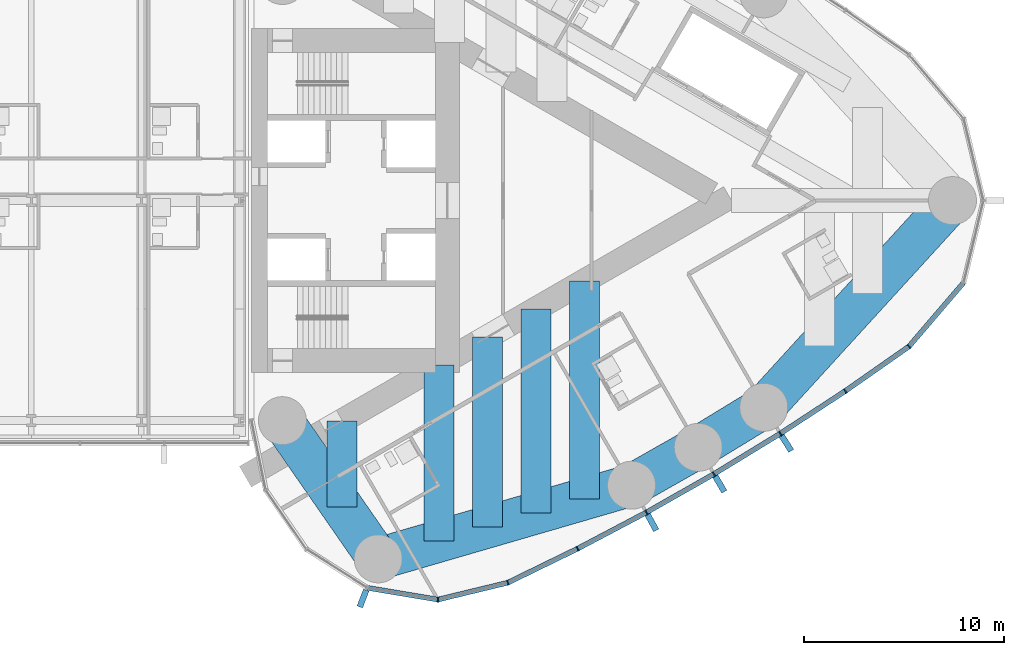
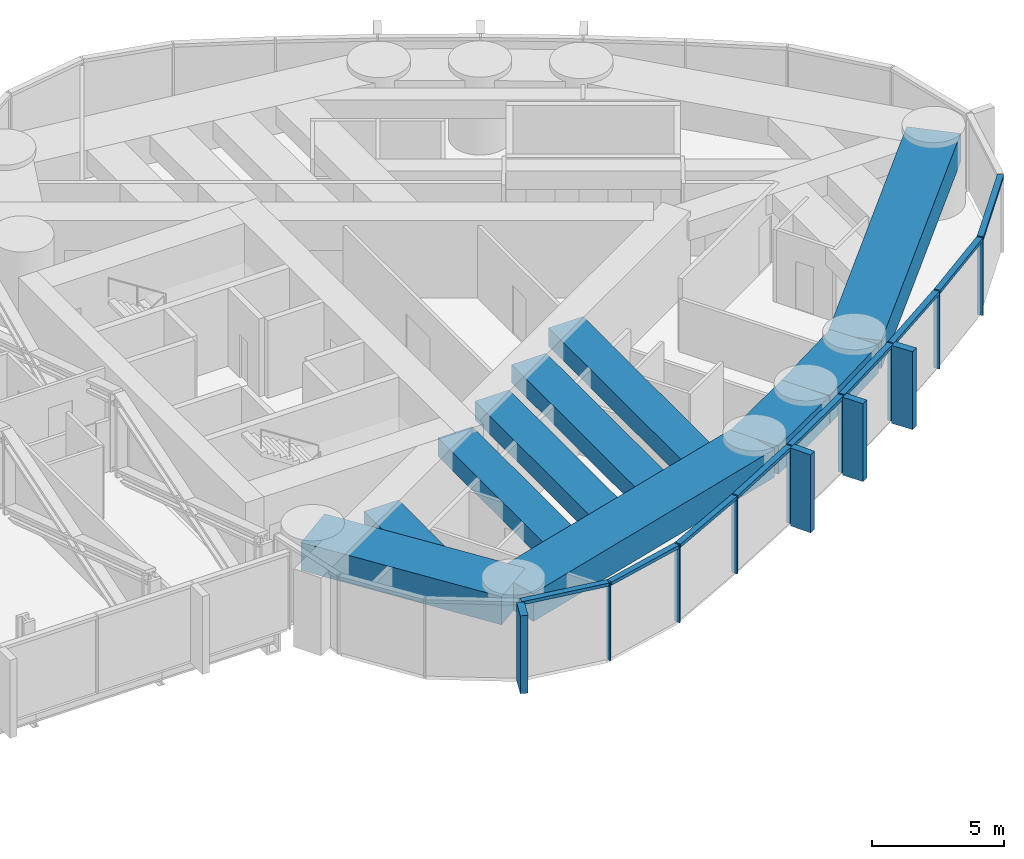
# One storey, part 8 of 22: 21 members, 10 beams, 1 element without a shape of its own.
"""IFC4 building model written with IfcOpenShell, lengths in metres."""

import ifcopenshell
import ifcopenshell.guid

model = None  # the IFC model being written
_history = None  # IfcOwnerHistory: only IFC2X3 demands one
_inside = {}  # id of a spatial element -> (the spatial element, [elements in it])
_under = {}  # id of a project, library or spatial element -> (it, [spatial elements below it])
_declared = {}  # id of a project -> (the project, [libraries it declares])
_typed = {}  # id of a type object -> (the type object, [elements of that type])
_made_of = {}  # id of a material, layer set ... -> (it, [elements and type objects made of it])


def new_model(schema):
    """Start an empty IFC model of exactly this schema.

    Asked for "IFC4X3", IfcOpenShell would pick the latest addendum, in which some entities
    have other attributes; the version numbers below select the first issue.
    IFC2X3 requires an IfcOwnerHistory on every rooted entity: one is made here for all.
    """
    global model, _history
    if schema == "IFC4X3":
        model = ifcopenshell.file(schema_version=(4, 3, 0, 0))
    else:
        model = ifcopenshell.file(schema=schema)
    _inside.clear()
    _under.clear()
    _declared.clear()
    _typed.clear()
    _made_of.clear()
    _history = None
    if model.schema == "IFC2X3":
        org = make("IfcOrganization", Name="unknown")
        user = make(
            "IfcPersonAndOrganization",
            ThePerson=make("IfcPerson", FamilyName="unknown"),
            TheOrganization=org,
        )
        app = make(
            "IfcApplication",
            ApplicationDeveloper=org,
            Version="unknown",
            ApplicationFullName="unknown",
            ApplicationIdentifier="unknown",
        )
        _history = make(
            "IfcOwnerHistory",
            OwningUser=user,
            OwningApplication=app,
            ChangeAction="ADDED",
            CreationDate=0,
        )
    return model


def make(cls, **values):
    """One entity of the class cls with the attributes given. An attribute that is None is left unset."""
    return model.create_entity(
        cls, **{name: value for name, value in values.items() if value is not None}
    )


def rooted(cls, **values):
    """An entity with a GlobalId (a new one), such as an element, a storey or a relation."""
    return make(cls, GlobalId=ifcopenshell.guid.new(), OwnerHistory=_history, **values)


def si_unit(unit_type, name, prefix=None):
    """IfcSIUnit, for example si_unit("LENGTHUNIT", "METRE", prefix="MILLI")."""
    return make("IfcSIUnit", UnitType=unit_type, Prefix=prefix, Name=name)


def assignment(units):
    """IfcUnitAssignment: the units of a project."""
    return None if units is None else make("IfcUnitAssignment", Units=units)


def point(xyz):
    """IfcCartesianPoint."""
    return None if xyz is None else make("IfcCartesianPoint", Coordinates=xyz)


def direction(xyz):
    """IfcDirection."""
    return None if xyz is None else make("IfcDirection", DirectionRatios=xyz)


def frame(location, z_axis=None, x_axis=None):
    """IfcAxis2Placement3D, a coordinate frame: its origin and axes. An axis left out is left unset."""
    return make(
        "IfcAxis2Placement3D",
        Location=point(location),
        Axis=direction(z_axis),
        RefDirection=direction(x_axis),
    )


def frame_2d(location, x_axis=None):
    """IfcAxis2Placement2D, a coordinate frame in the plane: its origin and x axis."""
    return make(
        "IfcAxis2Placement2D", Location=point(location), RefDirection=direction(x_axis)
    )


def origin():
    """The frame at (0, 0, 0) with its axes left unset."""
    return frame((0.0, 0.0, 0.0))


def origin_2d():
    """The frame at (0, 0) in the plane with its x axis left unset."""
    return frame_2d((0.0, 0.0))


def place(relative_to, where):
    """IfcLocalPlacement: puts the frame where relative to a parent placement (None: the world)."""
    return make(
        "IfcLocalPlacement", PlacementRelTo=relative_to, RelativePlacement=where
    )


def context(
    kind, dimensions, precision=None, world=None, true_north=None, identifier=None
):
    """IfcGeometricRepresentationContext, for example the 3D "Model" context."""
    return make(
        "IfcGeometricRepresentationContext",
        ContextIdentifier=identifier,
        ContextType=kind,
        CoordinateSpaceDimension=dimensions,
        Precision=precision,
        WorldCoordinateSystem=world,
        TrueNorth=true_north,
    )


def subcontext(parent, identifier, kind, view, scale=None):
    """IfcGeometricRepresentationSubContext, for example "Body" below "Model"."""
    return make(
        "IfcGeometricRepresentationSubContext",
        ContextIdentifier=identifier,
        ContextType=kind,
        ParentContext=parent,
        TargetScale=scale,
        TargetView=view,
    )


def project(units=None, contexts=None):
    """IfcProject with its units and contexts."""
    return rooted(
        "IfcProject",
        Name="project",
        RepresentationContexts=contexts,
        UnitsInContext=assignment(units),
    )


def spatial(cls, under=None, at=None, **own):
    """A site, building, storey or space (cls), placed at a placement, below another one or the project."""
    s = rooted(cls, ObjectPlacement=at, **own)
    if under is not None:
        _under.setdefault(under.id(), (under, []))[1].append(s)
    return s


def profile(cls, at=None, kind="AREA", **sizes):
    """A parametric profile (cls). Its sizes go by their IFC names, for example OverallWidth=200.0."""
    return make(cls, ProfileType=kind, Position=at, **sizes)


def rectangle(**sizes):
    """IfcRectangleProfileDef."""
    return profile("IfcRectangleProfileDef", **sizes)


def extrude(swept, where, along, depth):
    """IfcExtrudedAreaSolid: the profile swept, set in the frame where, extruded along a direction by depth."""
    return make(
        "IfcExtrudedAreaSolid",
        SweptArea=swept,
        Position=where,
        ExtrudedDirection=direction(along),
        Depth=depth,
    )


def shape(context_of_items, identifier, shape_type, items):
    """IfcShapeRepresentation: the items that make up one representation, for example the "Body"."""
    return make(
        "IfcShapeRepresentation",
        ContextOfItems=context_of_items,
        RepresentationIdentifier=identifier,
        RepresentationType=shape_type,
        Items=items,
    )


def material(Name=None, Category=None):
    """IfcMaterial."""
    return make("IfcMaterial", Name=Name, Category=Category)


def material_profile(
    of_material, cross_section, Name=None, Category=None, Priority=None
):
    """IfcMaterialProfile: a cross section and its material."""
    return make(
        "IfcMaterialProfile",
        Name=Name,
        Material=of_material,
        Profile=cross_section,
        Priority=Priority,
        Category=Category,
    )


def profile_set(profiles, Name=None, composite=None):
    """IfcMaterialProfileSet."""
    return make(
        "IfcMaterialProfileSet",
        Name=Name,
        MaterialProfiles=profiles,
        CompositeProfile=composite,
    )


def made_of(thing, what):
    """Note that an element or type object is made of a material, layer set ...; save() writes the relation."""
    if what is not None:
        _made_of.setdefault(what.id(), (what, []))[1].append(thing)
    return thing


def type_object(cls, material=None, **own):
    """A type object (cls), such as IfcWallType, which elements share."""
    return made_of(rooted(cls, **own), material)


def element(
    cls,
    number,
    at=None,
    inside=None,
    cuts=None,
    type_object=None,
    material=None,
    context=None,
    identifier="Body",
    shape_type=None,
    held_by="IfcProductDefinitionShape",
    body=None,
    shapes=None,
    **own,
):
    """One element of the class cls, such as IfcWall. Its Tag is "e" and its number.

    at: its placement. inside: the storey or other place that contains it. cuts: it is an
    opening in that element (IfcRelVoidsElement). A single representation is given by context,
    identifier, shape_type and body (its items); several are given by shapes. held_by: the class
    of the entity that holds the representations. save() writes the other relations.
    """
    e = rooted(cls, Tag="e%d" % number, ObjectPlacement=at, **own)
    if body is not None:
        shapes = [shape(context, identifier, shape_type, body)]
    if shapes is not None:
        e.Representation = make(held_by, Representations=shapes)
    if inside is not None:
        _inside.setdefault(inside.id(), (inside, []))[1].append(e)
    if cuts is not None:
        rooted(
            "IfcRelVoidsElement", RelatingBuildingElement=cuts, RelatedOpeningElement=e
        )
    if type_object is not None:
        _typed.setdefault(type_object.id(), (type_object, []))[1].append(e)
    return made_of(e, material)


def aggregate(whole, parts):
    """IfcRelAggregates: a whole, such as a stair, and the parts it consists of."""
    return rooted("IfcRelAggregates", RelatingObject=whole, RelatedObjects=parts)


def save(model, path):
    """Write the relations noted so far, then the file.

    IfcRelAggregates (storeys below a building ...), IfcRelContainedInSpatialStructure (elements
    in a storey), IfcRelDefinesByType, IfcRelAssociatesMaterial and IfcRelDeclares: one each for
    every whole, place, type object, material and project.
    """
    for whole, parts in _under.values():
        aggregate(whole, parts)
    for where, things in _inside.values():
        rooted(
            "IfcRelContainedInSpatialStructure",
            RelatedElements=things,
            RelatingStructure=where,
        )
    for kind, things in _typed.values():
        rooted("IfcRelDefinesByType", RelatedObjects=things, RelatingType=kind)
    for what, things in _made_of.values():
        rooted("IfcRelAssociatesMaterial", RelatedObjects=things, RelatingMaterial=what)
    for by, libraries in _declared.values():
        rooted("IfcRelDeclares", RelatingContext=by, RelatedDefinitions=libraries)
    model.write(path)


model = new_model("IFC4")

# Units and contexts
model_context = context("Model", 3, precision=1e-05, world=origin(), true_north=direction((0.0, 1.0)))
body_context = subcontext(model_context, "Body", "Model", "MODEL_VIEW")
ifc_project = project(units=[si_unit("LENGTHUNIT", "METRE"), si_unit("AREAUNIT", "SQUARE_METRE"), si_unit("VOLUMEUNIT", "CUBIC_METRE"), si_unit("PLANEANGLEUNIT", "RADIAN"), si_unit("MASSUNIT", "GRAM", prefix="KILO")], contexts=[model_context])

# Site, building, storey
site_placement = place(None, origin())
site = spatial("IfcSite", under=ifc_project, at=site_placement, CompositionType="ELEMENT")
building_placement = place(site_placement, origin())
building = spatial("IfcBuilding", under=site, at=building_placement, Name="Lancet Gate Hotel", CompositionType="ELEMENT")
storey_placement = place(building_placement, frame((0.0, 0.0, 226.10009765625)))
storey = spatial("IfcBuildingStorey", under=building, at=storey_placement, Name="L60", CompositionType="ELEMENT", Elevation=226.10009765625)

# Curtain wall, members
ifc_material_1 = material(Name="Aluminium curtain wall", Category="aluminium")
curtain_wall_type = type_object("IfcCurtainWallType", Name="Tower unitised curtain wall", PredefinedType="USERDEFINED", material=ifc_material_1)
curtain_wall_placement = place(storey_placement, origin())
curtain_wall = element("IfcCurtainWall", 1, at=curtain_wall_placement, inside=storey, type_object=curtain_wall_type, Name="T2 L60 curtain wall 1", ObjectType="UNITISED CURTAIN WALL", PredefinedType="USERDEFINED")
ifc_material_2 = material(Name="Aluminium mullion", Category="aluminium")
ifc_material_profile_1 = material_profile(ifc_material_2, rectangle(XDim=0.06494140625, YDim=0.25, at=origin_2d()), Name="MULLION 65x250")
ifc_profile_set_1 = profile_set([ifc_material_profile_1], Name="Aluminium mullion")
member_type_1 = type_object("IfcMemberType", Name="Aluminium mullion 65x250", PredefinedType="MULLION", material=ifc_profile_set_1)
member_1_placement = place(storey_placement, frame((36.826171875, -19.942138671875, 0.0), z_axis=(0.0, 0.0, 1.0), x_axis=(0.999342744911, 0.03625021647, 0.0)))
member_1 = element("IfcMember", 2, at=member_1_placement, type_object=member_type_1, Name="T2 L60 curtain wall 1 mullion 5", PredefinedType="MULLION", context=body_context, shape_type="SweptSolid", body=[
    extrude(rectangle(XDim=0.06494140625, YDim=0.25, at=origin_2d()), origin(), (0.0, 0.0, 1.0), 3.599853515625),
])
member_2_placement = place(storey_placement, frame((40.3173828125, -19.098388671875, 0.0), z_axis=(0.0, 0.0, 1.0), x_axis=(0.939483740419, 0.342593493061, 0.0)))
member_2 = element("IfcMember", 3, at=member_2_placement, type_object=member_type_1, Name="T2 L60 curtain wall 1 mullion 6", PredefinedType="MULLION", context=body_context, shape_type="SweptSolid", body=[
    extrude(rectangle(XDim=0.06494140625, YDim=0.25, at=origin_2d()), origin(), (0.0, 0.0, 1.0), 3.599853515625),
])
member_3_placement = place(storey_placement, frame((43.80810546875, -17.396240234375, 0.0), z_axis=(0.0, 0.0, 1.0), x_axis=(0.891832977257, 0.452364831389, 0.0)))
member_3 = element("IfcMember", 4, at=member_3_placement, type_object=member_type_1, Name="T2 L60 curtain wall 1 mullion 7", PredefinedType="MULLION", context=body_context, shape_type="SweptSolid", body=[
    extrude(rectangle(XDim=0.06494140625, YDim=0.25, at=origin_2d()), origin(), (0.0, 0.0, 1.0), 3.599853515625),
])
member_4_placement = place(storey_placement, frame((47.24365234375, -15.585205078125, 0.0), z_axis=(0.0, 0.0, 1.0), x_axis=(0.877194589488, 0.480135035352, 0.0)))
member_4 = element("IfcMember", 5, at=member_4_placement, type_object=member_type_1, Name="T2 L60 curtain wall 1 mullion 8", PredefinedType="MULLION", context=body_context, shape_type="SweptSolid", body=[
    extrude(rectangle(XDim=0.06494140625, YDim=0.25, at=origin_2d()), origin(), (0.0, 0.0, 1.0), 3.599853515625),
])
member_5_placement = place(storey_placement, frame((50.62060546875, -13.667236328125, 0.0), z_axis=(0.0, 0.0, 1.0), x_axis=(0.861691755738, 0.507432082247, 0.0)))
member_5 = element("IfcMember", 6, at=member_5_placement, type_object=member_type_1, Name="T2 L60 curtain wall 1 mullion 9", PredefinedType="MULLION", context=body_context, shape_type="SweptSolid", body=[
    extrude(rectangle(XDim=0.06494140625, YDim=0.25, at=origin_2d()), origin(), (0.0, 0.0, 1.0), 3.599853515625),
])
member_6_placement = place(storey_placement, frame((53.935791015625, -11.644287109375, 0.0), z_axis=(0.0, 0.0, 1.0), x_axis=(0.845339753513, 0.534229071777, 0.0)))
member_6 = element("IfcMember", 7, at=member_6_placement, type_object=member_type_1, Name="T2 L60 curtain wall 1 mullion 10", PredefinedType="MULLION", context=body_context, shape_type="SweptSolid", body=[
    extrude(rectangle(XDim=0.06494140625, YDim=0.25, at=origin_2d()), origin(), (0.0, 0.0, 1.0), 3.599853515625),
])
member_7_placement = place(storey_placement, frame((57.185791015625, -9.518310546875, 0.0), z_axis=(0.0, 0.0, 1.0), x_axis=(0.828154697184, 0.560499596371, 0.0)))
member_7 = element("IfcMember", 8, at=member_7_placement, type_object=member_type_1, Name="T2 L60 curtain wall 1 mullion 11", PredefinedType="MULLION", context=body_context, shape_type="SweptSolid", body=[
    extrude(rectangle(XDim=0.06494140625, YDim=0.25, at=origin_2d()), origin(), (0.0, 0.0, 1.0), 3.599853515625),
])
member_8_placement = place(storey_placement, frame((60.367431640625, -7.291259765625, 0.0), z_axis=(0.0, 0.0, 1.0), x_axis=(0.737323173512, 0.675540182226, 0.0)))
member_8 = element("IfcMember", 9, at=member_8_placement, type_object=member_type_1, Name="T2 L60 curtain wall 1 mullion 12", PredefinedType="MULLION", context=body_context, shape_type="SweptSolid", body=[
    extrude(rectangle(XDim=0.06494140625, YDim=0.25, at=origin_2d()), origin(), (0.0, 0.0, 1.0), 3.599853515625),
])
ifc_material_3 = material(Name="Aluminium transom", Category="aluminium")
ifc_material_profile_2 = material_profile(ifc_material_3, rectangle(XDim=0.25, YDim=0.14990234375, at=origin_2d()), Name="TRANSOM 250x150")
ifc_profile_set_2 = profile_set([ifc_material_profile_2], Name="Aluminium transom")
member_type_2 = type_object("IfcMemberType", Name="Aluminium transom 250x150", PredefinedType="USERDEFINED", material=ifc_profile_set_2)
member_9_placement = place(storey_placement, frame((33.315185546875, -19.35888671875, 3.52490234375), z_axis=(0.986483584545, -0.163860115412, 0.0), x_axis=(0.163860115412, 0.986483584545, 0.0)))
member_9 = element("IfcMember", 10, at=member_9_placement, type_object=member_type_2, Name="T2 L60 curtain wall 1 transom 4", ObjectType="TRANSOM", PredefinedType="USERDEFINED", context=body_context, shape_type="SweptSolid", body=[
    extrude(rectangle(XDim=0.25, YDim=0.14990234375, at=origin_2d()), origin(), (0.0, 0.0, 1.0), 3.526611328125),
])
member_10_placement = place(storey_placement, frame((36.85791015625, -19.9345703125, 3.52490234375), z_axis=(0.972002653858, 0.234969872307, 0.0), x_axis=(-0.234969872307, 0.972002653858, 0.0)))
member_10 = element("IfcMember", 11, at=member_10_placement, type_object=member_type_2, Name="T2 L60 curtain wall 1 transom 5", ObjectType="TRANSOM", PredefinedType="USERDEFINED", context=body_context, shape_type="SweptSolid", body=[
    extrude(rectangle(XDim=0.25, YDim=0.14990234375, at=origin_2d()), origin(), (0.0, 0.0, 1.0), 3.5263671875),
])
member_11_placement = place(storey_placement, frame((40.346435546875, -19.084228515625, 3.52490234375), z_axis=(0.898820051991, 0.438317823206, 0.0), x_axis=(-0.438317823206, 0.898820051991, 0.0)))
member_11 = element("IfcMember", 12, at=member_11_placement, type_object=member_type_2, Name="T2 L60 curtain wall 1 transom 6", ObjectType="TRANSOM", PredefinedType="USERDEFINED", context=body_context, shape_type="SweptSolid", body=[
    extrude(rectangle(XDim=0.25, YDim=0.14990234375, at=origin_2d()), origin(), (0.0, 0.0, 1.0), 3.81884765625),
])
member_12_placement = place(storey_placement, frame((43.836669921875, -17.381103515625, 3.52490234375), z_axis=(0.884618491031, 0.466315478325, 0.0), x_axis=(-0.466315478325, 0.884618491031, 0.0)))
member_12 = element("IfcMember", 13, at=member_12_placement, type_object=member_type_2, Name="T2 L60 curtain wall 1 transom 7", ObjectType="TRANSOM", PredefinedType="USERDEFINED", context=body_context, shape_type="SweptSolid", body=[
    extrude(rectangle(XDim=0.25, YDim=0.14990234375, at=origin_2d()), origin(), (0.0, 0.0, 1.0), 3.81884765625),
])
member_13_placement = place(storey_placement, frame((47.271728515625, -15.569091796875, 3.52490234375), z_axis=(0.869562011924, 0.493823761496, 0.0), x_axis=(-0.493823761496, 0.869562011924, 0.0)))
member_13 = element("IfcMember", 14, at=member_13_placement, type_object=member_type_2, Name="T2 L60 curtain wall 1 transom 8", ObjectType="TRANSOM", PredefinedType="USERDEFINED", context=body_context, shape_type="SweptSolid", body=[
    extrude(rectangle(XDim=0.25, YDim=0.14990234375, at=origin_2d()), origin(), (0.0, 0.0, 1.0), 3.818603515625),
])
member_14_placement = place(storey_placement, frame((50.648193359375, -13.650390625, 3.52490234375), z_axis=(0.853638798527, 0.520865435261, 0.0), x_axis=(-0.520865435261, 0.853638798527, 0.0)))
member_14 = element("IfcMember", 15, at=member_14_placement, type_object=member_type_2, Name="T2 L60 curtain wall 1 transom 9", ObjectType="TRANSOM", PredefinedType="USERDEFINED", context=body_context, shape_type="SweptSolid", body=[
    extrude(rectangle(XDim=0.25, YDim=0.14990234375, at=origin_2d()), origin(), (0.0, 0.0, 1.0), 3.818603515625),
])
member_15_placement = place(storey_placement, frame((53.962890625, -11.62646484375, 3.52490234375), z_axis=(0.836858089593, 0.547419891749, 0.0), x_axis=(-0.547419891749, 0.836858089593, 0.0)))
member_15 = element("IfcMember", 16, at=member_15_placement, type_object=member_type_2, Name="T2 L60 curtain wall 1 transom 10", ObjectType="TRANSOM", PredefinedType="USERDEFINED", context=body_context, shape_type="SweptSolid", body=[
    extrude(rectangle(XDim=0.25, YDim=0.14990234375, at=origin_2d()), origin(), (0.0, 0.0, 1.0), 3.818603515625),
])
member_16_placement = place(storey_placement, frame((57.21240234375, -9.499755859375, 3.52490234375), z_axis=(0.819255948852, 0.573428016642, 0.0), x_axis=(-0.573428016642, 0.819255948852, 0.0)))
member_16 = element("IfcMember", 17, at=member_16_placement, type_object=member_type_2, Name="T2 L60 curtain wall 1 transom 11", ObjectType="TRANSOM", PredefinedType="USERDEFINED", context=body_context, shape_type="SweptSolid", body=[
    extrude(rectangle(XDim=0.25, YDim=0.14990234375, at=origin_2d()), origin(), (0.0, 0.0, 1.0), 3.818603515625),
])
member_17_placement = place(storey_placement, frame((60.388427734375, -7.2666015625, 3.52490234375), z_axis=(0.650592500186, 0.759427019997, 0.0), x_axis=(-0.759427019997, 0.650592500186, 0.0)))
member_17 = element("IfcMember", 18, at=member_17_placement, type_object=member_type_2, Name="T2 L60 curtain wall 1 transom 12", ObjectType="TRANSOM", PredefinedType="USERDEFINED", context=body_context, shape_type="SweptSolid", body=[
    extrude(rectangle(XDim=0.25, YDim=0.14990234375, at=origin_2d()), origin(), (0.0, 0.0, 1.0), 4.1455078125),
])

# Beams
ifc_material_4 = material(Name="Concrete C50/60", Category="concrete")
ifc_material_profile_3 = material_profile(ifc_material_4, rectangle(XDim=2.10009765625, YDim=1.300048828125, at=origin_2d()), Name="RC 2100x1300")
ifc_profile_set_3 = profile_set([ifc_material_profile_3], Name="Concrete C50/60")
beam_type_1 = type_object("IfcBeamType", Name="Edge beam RC 2100x1300", PredefinedType="SPANDREL", material=ifc_profile_set_3)
beam_1_placement = place(storey_placement, frame((33.837158203125, -17.906005859375, 2.699951171875), z_axis=(0.960258384252, 0.279112585659, 0.0), x_axis=(-0.279112585659, 0.960258384252, 0.0)))
element("IfcBeam", 19, at=beam_1_placement, inside=storey, type_object=beam_type_1, Name="T2 edge beam EB1 L60", PredefinedType="SPANDREL", context=body_context, shape_type="SweptSolid", body=[
    extrude(rectangle(XDim=2.10009765625, YDim=1.300048828125, at=origin_2d()), origin(), (0.0, 0.0, 1.0), 13.18603515625),
])
beam_2_placement = place(storey_placement, frame((46.499267578125, -14.2255859375, 2.699951171875), z_axis=(0.869560321562, 0.493826738001, 0.0), x_axis=(-0.493826738001, 0.869560321562, 0.0)))
element("IfcBeam", 20, at=beam_2_placement, inside=storey, type_object=beam_type_1, Name="T2 edge beam EB1 L60", PredefinedType="SPANDREL", context=body_context, shape_type="SweptSolid", body=[
    extrude(rectangle(XDim=2.10009765625, YDim=1.300048828125, at=origin_2d()), origin(), (0.0, 0.0, 1.0), 3.8349609375),
])
beam_3_placement = place(storey_placement, frame((49.833984375, -12.331787109375, 2.699951171875), z_axis=(0.853604257265, 0.520922040212, 0.0), x_axis=(-0.520922040212, 0.853604257265, 0.0)))
element("IfcBeam", 21, at=beam_3_placement, inside=storey, type_object=beam_type_1, Name="T2 edge beam EB1 L60", PredefinedType="SPANDREL", context=body_context, shape_type="SweptSolid", body=[
    extrude(rectangle(XDim=2.10009765625, YDim=1.300048828125, at=origin_2d()), origin(), (0.0, 0.0, 1.0), 3.835205078125),
])
beam_4_placement = place(storey_placement, frame((53.107666015625, -10.333984375, 2.699951171875), z_axis=(0.674209372947, 0.738540263919, 0.0), x_axis=(-0.738540263919, 0.674209372947, 0.0)))
element("IfcBeam", 22, at=beam_4_placement, inside=storey, type_object=beam_type_1, Name="T2 edge beam EB1 L60", PredefinedType="SPANDREL", context=body_context, shape_type="SweptSolid", body=[
    extrude(rectangle(XDim=2.10009765625, YDim=1.300048828125, at=origin_2d()), origin(), (0.0, 0.0, 1.0), 13.992431640625),
])
beam_5_placement = place(storey_placement, frame((33.837158203125, -17.906005859375, 2.699951171875), z_axis=(-0.569694852599, 0.821856298219, 0.0), x_axis=(-0.821856298219, -0.569694852599, 0.0)))
element("IfcBeam", 23, at=beam_5_placement, inside=storey, type_object=beam_type_1, Name="T2 edge beam EB1 L60", PredefinedType="SPANDREL", context=body_context, shape_type="SweptSolid", body=[
    extrude(rectangle(XDim=2.10009765625, YDim=1.300048828125, at=origin_2d()), origin(), (0.0, 0.0, 1.0), 8.40283203125),
])

# Member
ifc_material_5 = material(Name="Precast concrete C50/60", Category="concrete")
ifc_material_profile_4 = material_profile(ifc_material_5, rectangle(XDim=0.300048828125, YDim=0.89990234375, at=origin_2d()), Name="FIN 300x900")
ifc_profile_set_4 = profile_set([ifc_material_profile_4], Name="Precast concrete C50/60")
member_type_3 = type_object("IfcMemberType", Name="Exposed concrete fin 300x900", PredefinedType="USERDEFINED", material=ifc_profile_set_4)
member_18_placement = place(storey_placement, frame((33.07763671875, -19.890625, 0.0), z_axis=(0.0, 0.0, 1.0), x_axis=(0.93394321776, -0.357421412343, 0.0)))
member_18 = element("IfcMember", 24, at=member_18_placement, type_object=member_type_3, Name="T2 L60 curtain wall 1 fin 4", ObjectType="FIN", PredefinedType="USERDEFINED", context=body_context, shape_type="SweptSolid", body=[
    extrude(rectangle(XDim=0.300048828125, YDim=0.89990234375, at=origin_2d()), origin(), (0.0, 0.0, 1.0), 3.599853515625),
])

member_19_placement = place(storey_placement, frame((47.51953125, -16.089599609375, 0.0), z_axis=(0.0, 0.0, 1.0), x_axis=(0.877194589488, 0.480135035352, 0.0)))
member_19 = element("IfcMember", 25, at=member_19_placement, type_object=member_type_3, Name="T2 L60 curtain wall 1 fin 8", ObjectType="FIN", PredefinedType="USERDEFINED", context=body_context, shape_type="SweptSolid", body=[
    extrude(rectangle(XDim=0.300048828125, YDim=0.89990234375, at=origin_2d()), origin(), (0.0, 0.0, 1.0), 3.599853515625),
])

member_20_placement = place(storey_placement, frame((50.912353515625, -14.162841796875, 0.0), z_axis=(0.0, 0.0, 1.0), x_axis=(0.861691755738, 0.507432082247, 0.0)))
member_20 = element("IfcMember", 26, at=member_20_placement, type_object=member_type_3, Name="T2 L60 curtain wall 1 fin 9", ObjectType="FIN", PredefinedType="USERDEFINED", context=body_context, shape_type="SweptSolid", body=[
    extrude(rectangle(XDim=0.300048828125, YDim=0.89990234375, at=origin_2d()), origin(), (0.0, 0.0, 1.0), 3.599853515625),
])

member_21_placement = place(storey_placement, frame((54.242919921875, -12.13037109375, 0.0), z_axis=(0.0, 0.0, 1.0), x_axis=(0.845339753513, 0.534229071777, 0.0)))
member_21 = element("IfcMember", 27, at=member_21_placement, type_object=member_type_3, Name="T2 L60 curtain wall 1 fin 10", ObjectType="FIN", PredefinedType="USERDEFINED", context=body_context, shape_type="SweptSolid", body=[
    extrude(rectangle(XDim=0.300048828125, YDim=0.89990234375, at=origin_2d()), origin(), (0.0, 0.0, 1.0), 3.599853515625),
])

aggregate(curtain_wall, [member_18, member_1, member_2, member_3, member_4, member_19, member_5, member_20, member_6, member_21, member_7, member_8, member_9, member_10, member_11, member_12, member_13, member_14, member_15, member_16, member_17])

# Beams
ifc_material_6 = material(Name="Concrete C50/60", Category="concrete")
ifc_material_profile_5 = material_profile(ifc_material_6, rectangle(XDim=1.5, YDim=0.85009765625, at=origin_2d()), Name="RC 1500x850")
ifc_profile_set_5 = profile_set([ifc_material_profile_5], Name="Concrete C50/60")
beam_type_2 = type_object("IfcBeamType", Name="Floor beam RC 1500x850", PredefinedType="BEAM", material=ifc_profile_set_5)
beam_6_placement = place(storey_placement, frame((32.04052734375, -15.31396484375, 2.9248046875), z_axis=(0.0, 1.0, 0.0), x_axis=(-1.0, 0.0, 0.0)))
element("IfcBeam", 28, at=beam_6_placement, inside=storey, type_object=beam_type_2, Name="T2 floor beam F01S L60", PredefinedType="BEAM", context=body_context, shape_type="SweptSolid", body=[
    extrude(rectangle(XDim=1.5, YDim=0.85009765625, at=origin_2d()), origin(), (0.0, 0.0, 1.0), 4.30859375),
])
beam_7_placement = place(storey_placement, frame((36.880859375, -17.021240234375, 2.9248046875), z_axis=(0.0, 1.0, 0.0), x_axis=(-1.0, 0.0, 0.0)))
element("IfcBeam", 29, at=beam_7_placement, inside=storey, type_object=beam_type_2, Name="T2 floor beam F03S L60", PredefinedType="BEAM", context=body_context, shape_type="SweptSolid", body=[
    extrude(rectangle(XDim=1.5, YDim=0.85009765625, at=origin_2d()), origin(), (0.0, 0.0, 1.0), 8.810546875),
])
beam_8_placement = place(storey_placement, frame((39.301025390625, -16.31787109375, 2.9248046875), z_axis=(0.0, 1.0, 0.0), x_axis=(-1.0, 0.0, 0.0)))
element("IfcBeam", 30, at=beam_8_placement, inside=storey, type_object=beam_type_2, Name="T2 floor beam F05S L60", PredefinedType="BEAM", context=body_context, shape_type="SweptSolid", body=[
    extrude(rectangle(XDim=1.5, YDim=0.85009765625, at=origin_2d()), origin(), (0.0, 0.0, 1.0), 9.50439453125),
])
beam_9_placement = place(storey_placement, frame((41.721435546875, -15.6142578125, 2.9248046875), z_axis=(0.0, 1.0, 0.0), x_axis=(-1.0, 0.0, 0.0)))
element("IfcBeam", 31, at=beam_9_placement, inside=storey, type_object=beam_type_2, Name="T2 floor beam F07S L60", PredefinedType="BEAM", context=body_context, shape_type="SweptSolid", body=[
    extrude(rectangle(XDim=1.5, YDim=0.85009765625, at=origin_2d()), origin(), (0.0, 0.0, 1.0), 10.1982421875),
])
beam_10_placement = place(storey_placement, frame((44.1416015625, -14.910888671875, 2.9248046875), z_axis=(0.0, 1.0, 0.0), x_axis=(-1.0, 0.0, 0.0)))
element("IfcBeam", 32, at=beam_10_placement, inside=storey, type_object=beam_type_2, Name="T2 floor beam F09S L60", PredefinedType="BEAM", context=body_context, shape_type="SweptSolid", body=[
    extrude(rectangle(XDim=1.5, YDim=0.85009765625, at=origin_2d()), origin(), (0.0, 0.0, 1.0), 10.89208984375),
])

save(model, "model.ifc")
